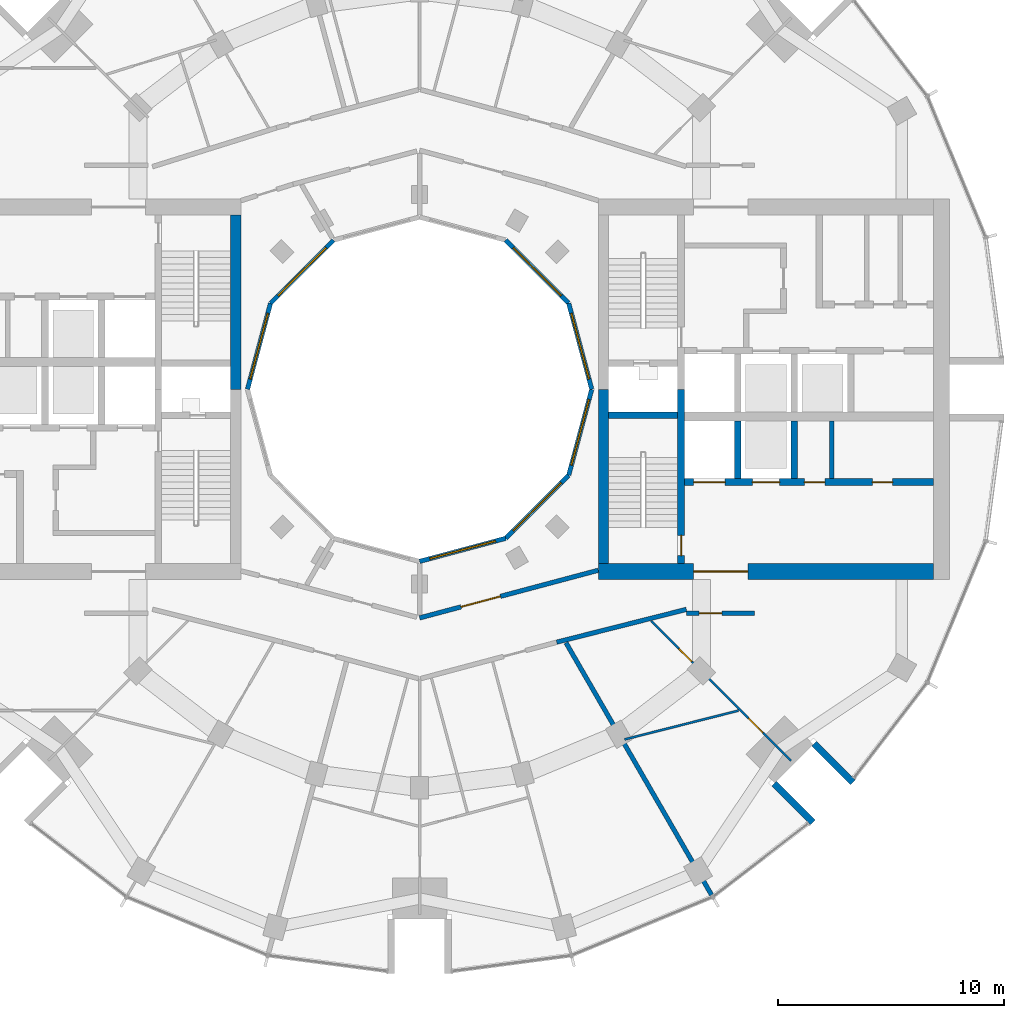
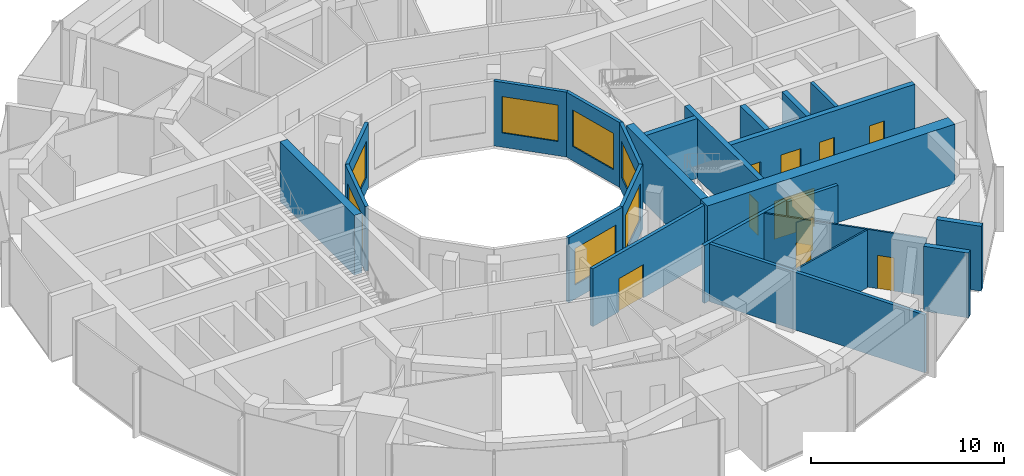
# One storey, part 10 of 15: 24 walls, 10 doors, 7 windows, 17 openings.
"""IFC4 building model written with IfcOpenShell, lengths in metres."""

from ifc_helpers import new_model, si_unit, direction, frame, frame_2d, origin, place, context, subcontext, project, spatial, rectangle, extrude, material, layer, layer_set, type_object, element, fill, save


model = new_model("IFC4")

# Units and contexts
model_context = context("Model", 3, precision=1e-05, world=origin(), true_north=direction((0.0, 1.0)))
body_context = subcontext(model_context, "Body", "Model", "MODEL_VIEW")
ifc_project = project(units=[si_unit("LENGTHUNIT", "METRE"), si_unit("AREAUNIT", "SQUARE_METRE"), si_unit("VOLUMEUNIT", "CUBIC_METRE"), si_unit("PLANEANGLEUNIT", "RADIAN"), si_unit("MASSUNIT", "GRAM", prefix="KILO")], contexts=[model_context])

# Site, building, storey
site_placement = place(None, origin())
site = spatial("IfcSite", under=ifc_project, at=site_placement, CompositionType="ELEMENT")
building_placement = place(site_placement, origin())
building = spatial("IfcBuilding", under=site, at=building_placement, Name="Torre Brocal", CompositionType="ELEMENT")
storey_placement = place(building_placement, frame((0.0, 0.0, 198.699951171875)))
storey = spatial("IfcBuildingStorey", under=building, at=storey_placement, Name="L46", CompositionType="ELEMENT", Elevation=198.699951171875)

# Wall
ifc_material_1 = material(Name="Masonry block", Category="masonry")
ifc_layer_1 = layer(ifc_material_1, 0.199951171875)
ifc_layer_set_1 = layer_set([ifc_layer_1], Name="Masonry block")
wall_type_1 = type_object("IfcWallType", Name="CORE PARTITION 200", PredefinedType="PARTITIONING", material=ifc_layer_set_1)
wall_1_placement = place(storey_placement, frame((98.199951171875, 71.050048828125, 0.0), z_axis=(0.0, 0.0, 1.0), x_axis=(0.0, 1.0, 0.0)))
element("IfcWall", 1, at=wall_1_placement, inside=storey, type_object=wall_type_1, Name="Wall CP200", PredefinedType="PARTITIONING", context=body_context, shape_type="SweptSolid", body=[
    extrude(rectangle(XDim=2.550048828125, YDim=0.199951171875, at=frame_2d((1.27490234375, 0.0))), origin(), (0.0, 0.0, 1.0), 3.780029296875),
])

# Wall, opening, door
ifc_material_2 = material(Name="Concrete C70", Category="concrete")
ifc_layer_2 = layer(ifc_material_2, 0.300048828125)
ifc_layer_set_2 = layer_set([ifc_layer_2], Name="Concrete C70")
wall_type_2 = type_object("IfcWallType", Name="CORE WALL 300 C70", PredefinedType="SHEAR", material=ifc_layer_set_2)
wall_2_placement = place(storey_placement, frame((91.550048828125, 67.300048828125, 0.0), z_axis=(0.0, 0.0, 1.0), x_axis=(0.0, 1.0, 0.0)))
wall_2 = element("IfcWall", 2, at=wall_2_placement, inside=storey, type_object=wall_type_2, Name="Wall CW300-70", PredefinedType="SHEAR", context=body_context, shape_type="SweptSolid", body=[
    extrude(rectangle(XDim=7.699951171875, YDim=0.300048828125, at=frame_2d((3.85009765625, 0.0))), origin(), (0.0, 0.0, 1.0), 3.780029296875),
])
opening_1_placement = place(wall_2_placement, frame((0.35009765625, 0.0, 0.0)))
opening_1 = element("IfcOpeningElement", 3, at=opening_1_placement, cuts=wall_2, Name="Opening E-D03", PredefinedType="OPENING", context=body_context, shape_type="SweptSolid", body=[
    extrude(rectangle(XDim=0.89990234375, YDim=2.10009765625, at=frame_2d((0.449951171875, 1.050048828125))), frame((0.0, 0.159912109375, 0.0), z_axis=(0.0, -1.0, 0.0), x_axis=(1.0, 0.0, 0.0)), (0.0, 0.0, 1.0), 0.320068359375),
])
ifc_material_3 = material(Name="Steel A653", Category="steel")
door_type_1 = type_object("IfcDoorType", Name="STAIR DOOR FD120 900X2100", OperationType="SINGLE_SWING_RIGHT", PredefinedType="DOOR", material=ifc_material_3)
door_1_placement = place(opening_1_placement, origin())
door_1 = element("IfcDoor", 4, at=door_1_placement, inside=storey, type_object=door_type_1, Name="Door E-D03", OperationType="SINGLE_SWING_LEFT", OverallHeight=2.10009765625, OverallWidth=0.89990234375, PredefinedType="DOOR", context=body_context, shape_type="SweptSolid", body=[
    extrude(rectangle(XDim=0.89990234375, YDim=2.10009765625, at=frame_2d((0.449951171875, 1.050048828125))), frame((0.0, 0.02490234375, 0.0), z_axis=(0.0, -1.0, 0.0), x_axis=(1.0, 0.0, 0.0)), (0.0, 0.0, 1.0), 0.050048828125),
])
fill(opening_1, door_1)

# Wall
wall_3_placement = place(storey_placement, frame((88.35009765625, 73.85009765625, 0.0), z_axis=(0.0, 0.0, 1.0), x_axis=(1.0, 0.0, 0.0)))
element("IfcWall", 5, at=wall_3_placement, inside=storey, type_object=wall_type_2, Name="Wall CW300-70", PredefinedType="SHEAR", context=body_context, shape_type="SweptSolid", body=[
    extrude(rectangle(XDim=3.0498046875, YDim=0.300048828125, at=frame_2d((1.52490234375, 0.0))), origin(), (0.0, 0.0, 1.0), 3.780029296875),
])

# Wall, openings, doors
wall_4_placement = place(storey_placement, frame((91.699951171875, 70.89990234375, 0.0), z_axis=(0.0, 0.0, 1.0), x_axis=(1.0, 0.0, 0.0)))
wall_4 = element("IfcWall", 6, at=wall_4_placement, inside=storey, type_object=wall_type_2, Name="Wall CW300-70", PredefinedType="SHEAR", context=body_context, shape_type="SweptSolid", body=[
    extrude(rectangle(XDim=11.0, YDim=0.300048828125, at=frame_2d((5.5, 0.0))), origin(), (0.0, 0.0, 1.0), 3.780029296875),
])
opening_2_placement = place(wall_4_placement, frame((0.39990234375, 0.0, 0.0)))
opening_2 = element("IfcOpeningElement", 7, at=opening_2_placement, cuts=wall_4, Name="Opening LD14", PredefinedType="OPENING", context=body_context, shape_type="SweptSolid", body=[
    extrude(rectangle(XDim=1.39990234375, YDim=2.10009765625, at=frame_2d((0.699951171875, 1.050048828125))), frame((0.0, 0.159912109375, 0.0), z_axis=(0.0, -1.0, 0.0), x_axis=(1.0, 0.0, 0.0)), (0.0, 0.0, 1.0), 0.320068359375),
])
opening_3_placement = place(wall_4_placement, frame((3.0, 0.0, 0.0)))
opening_3 = element("IfcOpeningElement", 8, at=opening_3_placement, cuts=wall_4, Name="Opening LD12", PredefinedType="OPENING", context=body_context, shape_type="SweptSolid", body=[
    extrude(rectangle(XDim=1.199951171875, YDim=2.10009765625, at=frame_2d((0.60009765625, 1.050048828125))), frame((0.0, 0.159912109375, 0.0), z_axis=(0.0, -1.0, 0.0), x_axis=(1.0, 0.0, 0.0)), (0.0, 0.0, 1.0), 0.320068359375),
])
opening_4_placement = place(wall_4_placement, frame((5.300048828125, 0.0, 0.0)))
opening_4 = element("IfcOpeningElement", 9, at=opening_4_placement, cuts=wall_4, Name="Opening E-D05", PredefinedType="OPENING", context=body_context, shape_type="SweptSolid", body=[
    extrude(rectangle(XDim=0.89990234375, YDim=2.10009765625, at=frame_2d((0.449951171875, 1.050048828125))), frame((0.0, 0.159912109375, 0.0), z_axis=(0.0, -1.0, 0.0), x_axis=(1.0, 0.0, 0.0)), (0.0, 0.0, 1.0), 0.320068359375),
])
opening_5_placement = place(wall_4_placement, frame((8.300048828125, 0.0, 0.0)))
opening_5 = element("IfcOpeningElement", 10, at=opening_5_placement, cuts=wall_4, Name="Opening E-D06", PredefinedType="OPENING", context=body_context, shape_type="SweptSolid", body=[
    extrude(rectangle(XDim=0.89990234375, YDim=2.10009765625, at=frame_2d((0.449951171875, 1.050048828125))), frame((0.0, 0.159912109375, 0.0), z_axis=(0.0, -1.0, 0.0), x_axis=(1.0, 0.0, 0.0)), (0.0, 0.0, 1.0), 0.320068359375),
])
ifc_material_4 = material(Name="Stainless steel AISI 316", Category="steel")
door_type_2 = type_object("IfcDoorType", Name="LIFT LANDING DOOR 1200X2100", OperationType="DOUBLE_DOOR_SLIDING", PredefinedType="DOOR", material=ifc_material_4)
door_2_placement = place(opening_3_placement, origin())
door_2 = element("IfcDoor", 11, at=door_2_placement, inside=storey, type_object=door_type_2, Name="Door LD12", OperationType="DOUBLE_DOOR_SLIDING", OverallHeight=2.10009765625, OverallWidth=1.199951171875, PredefinedType="DOOR", context=body_context, shape_type="SweptSolid", body=[
    extrude(rectangle(XDim=1.199951171875, YDim=2.10009765625, at=frame_2d((0.60009765625, 1.050048828125))), frame((0.0, 0.02490234375, 0.0), z_axis=(0.0, -1.0, 0.0), x_axis=(1.0, 0.0, 0.0)), (0.0, 0.0, 1.0), 0.050048828125),
])
fill(opening_3, door_2)
ifc_material_5 = material(Name="Stainless steel AISI 316", Category="steel")
door_type_3 = type_object("IfcDoorType", Name="LIFT LANDING DOOR 1400X2100", OperationType="DOUBLE_DOOR_SLIDING", PredefinedType="DOOR", material=ifc_material_5)
door_3_placement = place(opening_2_placement, origin())
door_3 = element("IfcDoor", 12, at=door_3_placement, inside=storey, type_object=door_type_3, Name="Door LD14", OperationType="DOUBLE_DOOR_SLIDING", OverallHeight=2.10009765625, OverallWidth=1.39990234375, PredefinedType="DOOR", context=body_context, shape_type="SweptSolid", body=[
    extrude(rectangle(XDim=1.39990234375, YDim=2.10009765625, at=frame_2d((0.699951171875, 1.050048828125))), frame((0.0, 0.02490234375, 0.0), z_axis=(0.0, -1.0, 0.0), x_axis=(1.0, 0.0, 0.0)), (0.0, 0.0, 1.0), 0.050048828125),
])
fill(opening_2, door_3)
ifc_material_6 = material(Name="Steel A653", Category="steel")
door_type_4 = type_object("IfcDoorType", Name="ROOM DOOR FD30S 900X2100", OperationType="SINGLE_SWING_LEFT", PredefinedType="DOOR", material=ifc_material_6)
door_4_placement = place(opening_4_placement, origin())
door_4 = element("IfcDoor", 13, at=door_4_placement, inside=storey, type_object=door_type_4, Name="Door E-D05", OperationType="SINGLE_SWING_RIGHT", OverallHeight=2.10009765625, OverallWidth=0.89990234375, PredefinedType="DOOR", context=body_context, shape_type="SweptSolid", body=[
    extrude(rectangle(XDim=0.89990234375, YDim=2.10009765625, at=frame_2d((0.449951171875, 1.050048828125))), frame((0.0, 0.02490234375, 0.0), z_axis=(0.0, -1.0, 0.0), x_axis=(1.0, 0.0, 0.0)), (0.0, 0.0, 1.0), 0.050048828125),
])
fill(opening_4, door_4)
door_5_placement = place(opening_5_placement, origin())
door_5 = element("IfcDoor", 14, at=door_5_placement, inside=storey, type_object=door_type_4, Name="Door E-D06", OperationType="SINGLE_SWING_RIGHT", OverallHeight=2.10009765625, OverallWidth=0.89990234375, PredefinedType="DOOR", context=body_context, shape_type="SweptSolid", body=[
    extrude(rectangle(XDim=0.89990234375, YDim=2.10009765625, at=frame_2d((0.449951171875, 1.050048828125))), frame((0.0, 0.02490234375, 0.0), z_axis=(0.0, -1.0, 0.0), x_axis=(1.0, 0.0, 0.0)), (0.0, 0.0, 1.0), 0.050048828125),
])
fill(opening_5, door_5)

# Walls
for number, where, z_axis, x_axis, name in (
    (15, (94.050048828125, 71.050048828125, 0.0), (0.0, 0.0, 1.0), (0.0, 1.0, 0.0), "Wall CW300-70"),
    (16, (96.550048828125, 71.050048828125, 0.0), (0.0, 0.0, 1.0), (0.0, 1.0, 0.0), "Wall CW300-70"),
):
    element("IfcWall", number, at=place(storey_placement, frame(where, z_axis=z_axis, x_axis=x_axis)), inside=storey, type_object=wall_type_2, Name=name, PredefinedType="SHEAR", context=body_context, shape_type="SweptSolid", body=[
        extrude(rectangle(XDim=2.550048828125, YDim=0.300048828125, at=frame_2d((1.27490234375, 0.0))), origin(), (0.0, 0.0, 1.0), 3.780029296875),
    ])
ifc_material_7 = material(Name="Concrete C70", Category="concrete")
ifc_layer_3 = layer(ifc_material_7, 0.449951171875)
ifc_layer_set_3 = layer_set([ifc_layer_3], Name="Concrete C70")
wall_type_3 = type_object("IfcWallType", Name="CORE WALL 450 C70", PredefinedType="SHEAR", material=ifc_layer_set_3)
for number, where, z_axis, x_axis, name in (
    (17, (88.125, 67.300048828125, 0.0), (0.0, 0.0, 1.0), (0.0, 1.0, 0.0), "Wall CW450-70"),
    (18, (71.875, 82.699951171875, 0.0), (0.0, 0.0, 1.0), (0.0, -1.0, 0.0), "Wall CW450-70"),
):
    element("IfcWall", number, at=place(storey_placement, frame(where, z_axis=z_axis, x_axis=x_axis)), inside=storey, type_object=wall_type_3, Name=name, PredefinedType="SHEAR", context=body_context, shape_type="SweptSolid", body=[
        extrude(rectangle(XDim=7.699951171875, YDim=0.449951171875, at=frame_2d((3.85009765625, 0.0))), origin(), (0.0, 0.0, 1.0), 3.780029296875),
    ])

# Wall, opening, door
ifc_material_8 = material(Name="Concrete C70", Category="concrete")
ifc_layer_4 = layer(ifc_material_8, 0.699951171875)
ifc_layer_set_4 = layer_set([ifc_layer_4], Name="Concrete C70")
wall_type_4 = type_object("IfcWallType", Name="CORE WALL 700 C70", PredefinedType="SHEAR", material=ifc_layer_set_4)
wall_5_placement = place(storey_placement, frame((87.89990234375, 66.949951171875, 0.0), z_axis=(0.0, 0.0, 1.0), x_axis=(1.0, 0.0, 0.0)))
wall_5 = element("IfcWall", 19, at=wall_5_placement, inside=storey, type_object=wall_type_4, Name="Wall CW700-70", PredefinedType="SHEAR", context=body_context, shape_type="SweptSolid", body=[
    extrude(rectangle(XDim=14.800048828125, YDim=0.699951171875, at=frame_2d((7.39990234375, 0.0))), origin(), (0.0, 0.0, 1.0), 3.780029296875),
])
opening_6_placement = place(wall_5_placement, frame((4.199951171875, 0.0, 0.0)))
opening_6 = element("IfcOpeningElement", 20, at=opening_6_placement, cuts=wall_5, Name="Opening E-D12", PredefinedType="OPENING", context=body_context, shape_type="SweptSolid", body=[
    extrude(rectangle(XDim=2.39990234375, YDim=2.39990234375, at=frame_2d((1.199951171875, 1.199951171875))), frame((0.0, 0.35986328125, 0.0), z_axis=(0.0, -1.0, 0.0), x_axis=(1.0, 0.0, 0.0)), (0.0, 0.0, 1.0), 0.719970703125),
])
ifc_material_9 = material(Name="Steel A653", Category="steel")
door_type_5 = type_object("IfcDoorType", Name="DOUBLE FIRE DOOR FD90 2400X2400", OperationType="DOUBLE_DOOR_SINGLE_SWING", PredefinedType="DOOR", material=ifc_material_9)
door_6_placement = place(opening_6_placement, origin())
door_6 = element("IfcDoor", 21, at=door_6_placement, inside=storey, type_object=door_type_5, Name="Door E-D12", OperationType="DOUBLE_DOOR_SINGLE_SWING", OverallHeight=2.39990234375, OverallWidth=2.39990234375, PredefinedType="DOOR", context=body_context, shape_type="SweptSolid", body=[
    extrude(rectangle(XDim=2.39990234375, YDim=2.39990234375, at=frame_2d((1.199951171875, 1.199951171875))), frame((0.0, 0.02490234375, 0.0), z_axis=(0.0, -1.0, 0.0), x_axis=(1.0, 0.0, 0.0)), (0.0, 0.0, 1.0), 0.050048828125),
])
fill(opening_6, door_6)

# Walls
ifc_material_10 = material(Name="Concrete C70", Category="concrete")
ifc_layer_5 = layer(ifc_material_10, 0.300048828125)
ifc_layer_set_5 = layer_set([ifc_layer_5], Name="Concrete C70")
wall_type_5 = type_object("IfcWallType", Name="NOTCH RETURN WALL 300 C70", PredefinedType="NOTDEFINED", material=ifc_layer_set_5)
for number, where, z_axis, x_axis, name in (
    (22, (95.662353515625, 57.56982421875, 0.0), (0.0, 0.0, 1.0), (0.707106781187, -0.707106781187, 0.0), "NOTCH RETURN WALL"),
    (23, (97.43017578125, 59.337646484375, 0.0), (0.0, 0.0, 1.0), (0.707106781187, -0.707106781187, 0.0), "NOTCH RETURN WALL"),
):
    element("IfcWall", number, at=place(storey_placement, frame(where, z_axis=z_axis, x_axis=x_axis)), inside=storey, type_object=wall_type_5, Name=name, PredefinedType="NOTDEFINED", context=body_context, shape_type="SweptSolid", body=[
        extrude(rectangle(XDim=2.415771484375, YDim=0.300048828125, at=frame_2d((1.2080078125, 0.0))), origin(), (0.0, 0.0, 1.0), 4.10009765625),
    ])
ifc_material_11 = material(Name="Gypsum board", Category="Gypsum")
ifc_layer_6 = layer(ifc_material_11, 0.10009765625)
ifc_layer_set_6 = layer_set([ifc_layer_6], Name="Gypsum board")
wall_type_6 = type_object("IfcWallType", Name="PARTITION 100", PredefinedType="PARTITIONING", material=ifc_layer_set_6)
wall_6_placement = place(storey_placement, frame((89.0537109375, 59.531005859375, 0.0), z_axis=(0.0, 0.0, 1.0), x_axis=(0.969472150829, 0.245201445279, 0.0)))
element("IfcWall", 24, at=wall_6_placement, inside=storey, type_object=wall_type_6, Name="BATHROOM WALL", PredefinedType="PARTITIONING", context=body_context, shape_type="SweptSolid", body=[
    extrude(rectangle(XDim=5.19140625, YDim=0.10009765625, at=frame_2d((2.595703125, 0.0))), origin(), (0.0, 0.0, 1.0), 3.650146484375),
])

# Wall, openings, doors
wall_7_placement = place(storey_placement, frame((90.236328125, 64.75830078125, 0.0), z_axis=(0.0, 0.0, 1.0), x_axis=(0.706952774706, -0.707260754132, 0.0)))
wall_7 = element("IfcWall", 25, at=wall_7_placement, inside=storey, type_object=wall_type_6, Name="BATHROOM WALL", PredefinedType="PARTITIONING", context=body_context, shape_type="SweptSolid", body=[
    extrude(rectangle(XDim=8.719970703125, YDim=0.10009765625, at=frame_2d((4.35986328125, 0.0))), origin(), (0.0, 0.0, 1.0), 3.650146484375),
])
opening_7_placement = place(wall_7_placement, frame((6.077392578125, 0.0, 0.0)))
opening_7 = element("IfcOpeningElement", 26, at=opening_7_placement, cuts=wall_7, Name="Opening R04-D22", PredefinedType="OPENING", context=body_context, shape_type="SweptSolid", body=[
    extrude(rectangle(XDim=0.89990234375, YDim=2.10009765625, at=frame_2d((0.449951171875, 1.050048828125))), frame((0.0, 0.06005859375, 0.0), z_axis=(0.0, -1.0, 0.0), x_axis=(1.0, 0.0, 0.0)), (0.0, 0.0, 1.0), 0.1201171875),
])
opening_8_placement = place(wall_7_placement, frame((1.722412109375, 0.0, 0.0)))
opening_8 = element("IfcOpeningElement", 27, at=opening_8_placement, cuts=wall_7, Name="Opening R04-D23", PredefinedType="OPENING", context=body_context, shape_type="SweptSolid", body=[
    extrude(rectangle(XDim=0.800048828125, YDim=2.10009765625, at=frame_2d((0.39990234375, 1.050048828125))), frame((0.0, 0.06005859375, 0.0), z_axis=(0.0, -1.0, 0.0), x_axis=(1.0, 0.0, 0.0)), (0.0, 0.0, 1.0), 0.1201171875),
])
ifc_material_12 = material(Name="Timber", Category="wood")
door_type_6 = type_object("IfcDoorType", Name="BATHROOM DOOR 800X2100", OperationType="SINGLE_SWING_LEFT", PredefinedType="DOOR", material=ifc_material_12)
door_7_placement = place(opening_8_placement, frame((0.800048828125, 0.0, 0.0), z_axis=(0.0, 0.0, 1.0), x_axis=(-1.0, 0.0, 0.0)))
door_7 = element("IfcDoor", 28, at=door_7_placement, inside=storey, type_object=door_type_6, Name="R04-D23", OperationType="SINGLE_SWING_RIGHT", OverallHeight=2.10009765625, OverallWidth=0.800048828125, PredefinedType="DOOR", context=body_context, shape_type="SweptSolid", body=[
    extrude(rectangle(XDim=0.800048828125, YDim=2.10009765625, at=frame_2d((0.39990234375, 1.050048828125))), frame((0.0, 0.02490234375, 0.0), z_axis=(0.0, -1.0, 0.0), x_axis=(1.0, 0.0, 0.0)), (0.0, 0.0, 1.0), 0.050048828125),
])
fill(opening_8, door_7)
ifc_material_13 = material(Name="Timber", Category="wood")
door_type_7 = type_object("IfcDoorType", Name="ROOM DOOR 900X2100", OperationType="SINGLE_SWING_LEFT", PredefinedType="DOOR", material=ifc_material_13)
door_8_placement = place(opening_7_placement, origin())
door_8 = element("IfcDoor", 29, at=door_8_placement, inside=storey, type_object=door_type_7, Name="R04-D22", OperationType="SINGLE_SWING_RIGHT", OverallHeight=2.10009765625, OverallWidth=0.89990234375, PredefinedType="DOOR", context=body_context, shape_type="SweptSolid", body=[
    extrude(rectangle(XDim=0.89990234375, YDim=2.10009765625, at=frame_2d((0.449951171875, 1.050048828125))), frame((0.0, 0.02490234375, 0.0), z_axis=(0.0, -1.0, 0.0), x_axis=(1.0, 0.0, 0.0)), (0.0, 0.0, 1.0), 0.050048828125),
])
fill(opening_7, door_8)

# Wall, opening, door
ifc_material_14 = material(Name="Gypsum board", Category="Gypsum")
ifc_layer_7 = layer(ifc_material_14, 0.199951171875)
ifc_layer_set_7 = layer_set([ifc_layer_7], Name="Gypsum board")
wall_type_7 = type_object("IfcWallType", Name="PARTITION 200 EI60", PredefinedType="PARTITIONING", material=ifc_layer_set_7)
wall_8_placement = place(storey_placement, frame((80.00048828125, 64.8984375, 0.0), z_axis=(0.0, 0.0, 1.0), x_axis=(0.966236923997, 0.25765520896, 0.0)))
wall_8 = element("IfcWall", 30, at=wall_8_placement, inside=storey, type_object=wall_type_7, Name="CORRIDOR WALL", PredefinedType="PARTITIONING", context=body_context, shape_type="SweptSolid", body=[
    extrude(rectangle(XDim=8.16796875, YDim=0.199951171875, at=frame_2d((4.083984375, 0.0))), origin(), (0.0, 0.0, 1.0), 3.650146484375),
])
opening_9_placement = place(wall_8_placement, frame((1.892578125, 0.0, 0.0)))
opening_9 = element("IfcOpeningElement", 31, at=opening_9_placement, cuts=wall_8, Name="Opening R04-D37", PredefinedType="OPENING", context=body_context, shape_type="SweptSolid", body=[
    extrude(rectangle(XDim=1.800048828125, YDim=2.10009765625, at=frame_2d((0.89990234375, 1.050048828125))), frame((0.0, 0.10986328125, 0.0), z_axis=(0.0, -1.0, 0.0), x_axis=(1.0, 0.0, 0.0)), (0.0, 0.0, 1.0), 0.219970703125),
])
ifc_material_15 = material(Name="Timber", Category="wood")
door_type_8 = type_object("IfcDoorType", Name="DOUBLE DOOR 1800X2100", OperationType="DOUBLE_DOOR_SINGLE_SWING", PredefinedType="DOOR", material=ifc_material_15)
door_9_placement = place(opening_9_placement, origin())
door_9 = element("IfcDoor", 32, at=door_9_placement, inside=storey, type_object=door_type_8, Name="R04-D37", OperationType="DOUBLE_DOOR_SINGLE_SWING", OverallHeight=2.10009765625, OverallWidth=1.800048828125, PredefinedType="DOOR", context=body_context, shape_type="SweptSolid", body=[
    extrude(rectangle(XDim=1.800048828125, YDim=2.10009765625, at=frame_2d((0.89990234375, 1.050048828125))), frame((0.0, 0.02490234375, 0.0), z_axis=(0.0, -1.0, 0.0), x_axis=(1.0, 0.0, 0.0)), (0.0, 0.0, 1.0), 0.050048828125),
])
fill(opening_9, door_9)

# Walls
wall_9_placement = place(storey_placement, frame((86.052978515625, 63.826171875, 0.0), z_axis=(0.0, 0.0, 1.0), x_axis=(0.969490004987, 0.245130843083, 0.0)))
element("IfcWall", 33, at=wall_9_placement, inside=storey, type_object=wall_type_7, Name="FLAT ENTRANCE WALL", PredefinedType="PARTITIONING", context=body_context, shape_type="SweptSolid", body=[
    extrude(rectangle(XDim=5.907958984375, YDim=0.199951171875, at=frame_2d((2.9541015625, 0.0))), origin(), (0.0, 0.0, 1.0), 3.650146484375),
])
wall_10_placement = place(storey_placement, frame((86.4658203125, 63.80126953125, 0.0), z_axis=(0.0, 0.0, 1.0), x_axis=(0.499937082171, -0.866061726362, 0.0)))
element("IfcWall", 34, at=wall_10_placement, inside=storey, type_object=wall_type_7, Name="BATHROOM WALL", PredefinedType="PARTITIONING", context=body_context, shape_type="SweptSolid", body=[
    extrude(rectangle(XDim=12.866455078125, YDim=0.199951171875, at=frame_2d((6.43310546875, 0.0))), origin(), (0.0, 0.0, 1.0), 3.650146484375),
])

# Wall, opening, door
wall_11_placement = place(storey_placement, frame((91.800048828125, 65.10009765625, 0.0), z_axis=(0.0, 0.0, 1.0), x_axis=(1.0, 0.0, 0.0)))
wall_11 = element("IfcWall", 35, at=wall_11_placement, inside=storey, type_object=wall_type_7, Name="FLAT ENTRANCE WALL", PredefinedType="PARTITIONING", context=body_context, shape_type="SweptSolid", body=[
    extrude(rectangle(XDim=3.0, YDim=0.199951171875, at=frame_2d((1.5, 0.0))), origin(), (0.0, 0.0, 1.0), 3.650146484375),
])
opening_10_placement = place(wall_11_placement, frame((0.550048828125, 0.0, 0.0)))
opening_10 = element("IfcOpeningElement", 36, at=opening_10_placement, cuts=wall_11, Name="Opening R04-D21", PredefinedType="OPENING", context=body_context, shape_type="SweptSolid", body=[
    extrude(rectangle(XDim=1.0, YDim=2.10009765625, at=frame_2d((0.5, 1.050048828125))), frame((0.0, 0.10986328125, 0.0), z_axis=(0.0, -1.0, 0.0), x_axis=(1.0, 0.0, 0.0)), (0.0, 0.0, 1.0), 0.219970703125),
])
ifc_material_16 = material(Name="Timber", Category="wood")
door_type_9 = type_object("IfcDoorType", Name="FLAT ENTRY DOOR FD30S 1000X2100", OperationType="SINGLE_SWING_RIGHT", PredefinedType="DOOR", material=ifc_material_16)
door_10_placement = place(opening_10_placement, frame((1.0, 0.0, 0.0), z_axis=(0.0, 0.0, 1.0), x_axis=(-1.0, 0.0, 0.0)))
door_10 = element("IfcDoor", 37, at=door_10_placement, inside=storey, type_object=door_type_9, Name="R04-D21", OperationType="SINGLE_SWING_RIGHT", OverallHeight=2.10009765625, OverallWidth=1.0, PredefinedType="DOOR", context=body_context, shape_type="SweptSolid", body=[
    extrude(rectangle(XDim=1.0, YDim=2.10009765625, at=frame_2d((0.5, 1.050048828125))), frame((0.0, 0.02490234375, 0.0), z_axis=(0.0, -1.0, 0.0), x_axis=(1.0, 0.0, 0.0)), (0.0, 0.0, 1.0), 0.050048828125),
])
fill(opening_10, door_10)

# Wall, opening, window
ifc_material_17 = material(Name="Concrete C40", Category="concrete")
ifc_layer_8 = layer(ifc_material_17, 0.199951171875)
ifc_layer_set_8 = layer_set([ifc_layer_8], Name="Concrete C40")
wall_type_8 = type_object("IfcWallType", Name="WELL FACADE WALL 200", PredefinedType="NOTDEFINED", material=ifc_layer_set_8)
wall_12_placement = place(storey_placement, frame((87.603515625, 75.0, 0.0), z_axis=(0.0, 0.0, 1.0), x_axis=(-0.258789828301, 0.965933654434, 0.0)))
wall_12 = element("IfcWall", 38, at=wall_12_placement, inside=storey, type_object=wall_type_8, Name="WELL FACADE WALL", PredefinedType="NOTDEFINED", context=body_context, shape_type="SweptSolid", body=[
    extrude(rectangle(XDim=3.935791015625, YDim=0.199951171875, at=frame_2d((1.9677734375, 0.0))), origin(), (0.0, 0.0, 1.0), 4.10009765625),
])
opening_11_placement = place(wall_12_placement, frame((0.468017578125, 0.0, 0.89990234375)))
opening_11 = element("IfcOpeningElement", 39, at=opening_11_placement, cuts=wall_12, Name="Opening W1", PredefinedType="OPENING", context=body_context, shape_type="SweptSolid", body=[
    extrude(rectangle(XDim=3.0, YDim=2.300048828125, at=frame_2d((1.5, 1.14990234375))), frame((0.0, 0.10986328125, 0.0), z_axis=(0.0, -1.0, 0.0), x_axis=(1.0, 0.0, 0.0)), (0.0, 0.0, 1.0), 0.219970703125),
])
ifc_material_18 = material(Name="Aluminium and glass", Category="aluminium")
window_type = type_object("IfcWindowType", Name="WELL WINDOW 3000X2300", PartitioningType="SINGLE_PANEL", PredefinedType="WINDOW", material=ifc_material_18)
window_1_placement = place(opening_11_placement, origin())
window_1 = element("IfcWindow", 40, at=window_1_placement, inside=storey, type_object=window_type, Name="WELL WINDOW 3000X2300", OverallHeight=2.300048828125, OverallWidth=3.0, PartitioningType="SINGLE_PANEL", PredefinedType="WINDOW", context=body_context, shape_type="SweptSolid", body=[
    extrude(rectangle(XDim=3.0, YDim=2.300048828125, at=frame_2d((1.5, 1.14990234375))), frame((0.0, 0.030029296875, 0.0), z_axis=(0.0, -1.0, 0.0), x_axis=(1.0, 0.0, 0.0)), (0.0, 0.0, 1.0), 0.06005859375),
])
fill(opening_11, window_1)

wall_13_placement = place(storey_placement, frame((86.5849609375, 78.8017578125, 0.0), z_axis=(0.0, 0.0, 1.0), x_axis=(-0.707106781187, 0.707106781187, 0.0)))
wall_13 = element("IfcWall", 41, at=wall_13_placement, inside=storey, type_object=wall_type_8, Name="WELL FACADE WALL", PredefinedType="NOTDEFINED", context=body_context, shape_type="SweptSolid", body=[
    extrude(rectangle(XDim=3.93603515625, YDim=0.199951171875, at=frame_2d((1.968017578125, 0.0))), origin(), (0.0, 0.0, 1.0), 4.10009765625),
])
opening_12_placement = place(wall_13_placement, frame((0.468017578125, 0.0, 0.89990234375)))
opening_12 = element("IfcOpeningElement", 42, at=opening_12_placement, cuts=wall_13, Name="Opening W1", PredefinedType="OPENING", context=body_context, shape_type="SweptSolid", body=[
    extrude(rectangle(XDim=3.0, YDim=2.300048828125, at=frame_2d((1.5, 1.14990234375))), frame((0.0, 0.10986328125, 0.0), z_axis=(0.0, -1.0, 0.0), x_axis=(1.0, 0.0, 0.0)), (0.0, 0.0, 1.0), 0.219970703125),
])
window_2_placement = place(opening_12_placement, origin())
window_2 = element("IfcWindow", 43, at=window_2_placement, inside=storey, type_object=window_type, Name="WELL WINDOW 3000X2300", OverallHeight=2.300048828125, OverallWidth=3.0, PartitioningType="SINGLE_PANEL", PredefinedType="WINDOW", context=body_context, shape_type="SweptSolid", body=[
    extrude(rectangle(XDim=3.0, YDim=2.300048828125, at=frame_2d((1.5, 1.14990234375))), frame((0.0, 0.030029296875, 0.0), z_axis=(0.0, -1.0, 0.0), x_axis=(1.0, 0.0, 0.0)), (0.0, 0.0, 1.0), 0.06005859375),
])
fill(opening_12, window_2)

wall_14_placement = place(storey_placement, frame((76.1982421875, 81.5849609375, 0.0), z_axis=(0.0, 0.0, 1.0), x_axis=(-0.707106781187, -0.707106781187, 0.0)))
wall_14 = element("IfcWall", 44, at=wall_14_placement, inside=storey, type_object=wall_type_8, Name="WELL FACADE WALL", PredefinedType="NOTDEFINED", context=body_context, shape_type="SweptSolid", body=[
    extrude(rectangle(XDim=3.93603515625, YDim=0.199951171875, at=frame_2d((1.968017578125, 0.0))), origin(), (0.0, 0.0, 1.0), 4.10009765625),
])
opening_13_placement = place(wall_14_placement, frame((0.468017578125, 0.0, 0.89990234375)))
opening_13 = element("IfcOpeningElement", 45, at=opening_13_placement, cuts=wall_14, Name="Opening W1", PredefinedType="OPENING", context=body_context, shape_type="SweptSolid", body=[
    extrude(rectangle(XDim=3.0, YDim=2.300048828125, at=frame_2d((1.5, 1.14990234375))), frame((0.0, 0.10986328125, 0.0), z_axis=(0.0, -1.0, 0.0), x_axis=(1.0, 0.0, 0.0)), (0.0, 0.0, 1.0), 0.219970703125),
])
window_3_placement = place(opening_13_placement, origin())
window_3 = element("IfcWindow", 46, at=window_3_placement, inside=storey, type_object=window_type, Name="WELL WINDOW 3000X2300", OverallHeight=2.300048828125, OverallWidth=3.0, PartitioningType="SINGLE_PANEL", PredefinedType="WINDOW", context=body_context, shape_type="SweptSolid", body=[
    extrude(rectangle(XDim=3.0, YDim=2.300048828125, at=frame_2d((1.5, 1.14990234375))), frame((0.0, 0.030029296875, 0.0), z_axis=(0.0, -1.0, 0.0), x_axis=(1.0, 0.0, 0.0)), (0.0, 0.0, 1.0), 0.06005859375),
])
fill(opening_13, window_3)

wall_15_placement = place(storey_placement, frame((73.4150390625, 78.8017578125, 0.0), z_axis=(0.0, 0.0, 1.0), x_axis=(-0.258789828301, -0.965933654434, 0.0)))
wall_15 = element("IfcWall", 47, at=wall_15_placement, inside=storey, type_object=wall_type_8, Name="WELL FACADE WALL", PredefinedType="NOTDEFINED", context=body_context, shape_type="SweptSolid", body=[
    extrude(rectangle(XDim=3.935791015625, YDim=0.199951171875, at=frame_2d((1.9677734375, 0.0))), origin(), (0.0, 0.0, 1.0), 4.10009765625),
])
opening_14_placement = place(wall_15_placement, frame((0.468017578125, 0.0, 0.89990234375)))
opening_14 = element("IfcOpeningElement", 48, at=opening_14_placement, cuts=wall_15, Name="Opening W1", PredefinedType="OPENING", context=body_context, shape_type="SweptSolid", body=[
    extrude(rectangle(XDim=3.0, YDim=2.300048828125, at=frame_2d((1.5, 1.14990234375))), frame((0.0, 0.10986328125, 0.0), z_axis=(0.0, -1.0, 0.0), x_axis=(1.0, 0.0, 0.0)), (0.0, 0.0, 1.0), 0.219970703125),
])
window_4_placement = place(opening_14_placement, origin())
window_4 = element("IfcWindow", 49, at=window_4_placement, inside=storey, type_object=window_type, Name="WELL WINDOW 3000X2300", OverallHeight=2.300048828125, OverallWidth=3.0, PartitioningType="SINGLE_PANEL", PredefinedType="WINDOW", context=body_context, shape_type="SweptSolid", body=[
    extrude(rectangle(XDim=3.0, YDim=2.300048828125, at=frame_2d((1.5, 1.14990234375))), frame((0.0, 0.030029296875, 0.0), z_axis=(0.0, -1.0, 0.0), x_axis=(1.0, 0.0, 0.0)), (0.0, 0.0, 1.0), 0.06005859375),
])
fill(opening_14, window_4)

wall_16_placement = place(storey_placement, frame((80.0, 67.396484375, 0.0), z_axis=(0.0, 0.0, 1.0), x_axis=(0.965933654434, 0.258789828301, 0.0)))
wall_16 = element("IfcWall", 50, at=wall_16_placement, inside=storey, type_object=wall_type_8, Name="WELL FACADE WALL", PredefinedType="NOTDEFINED", context=body_context, shape_type="SweptSolid", body=[
    extrude(rectangle(XDim=3.935791015625, YDim=0.199951171875, at=frame_2d((1.9677734375, 0.0))), origin(), (0.0, 0.0, 1.0), 4.10009765625),
])
opening_15_placement = place(wall_16_placement, frame((0.468017578125, 0.0, 0.89990234375)))
opening_15 = element("IfcOpeningElement", 51, at=opening_15_placement, cuts=wall_16, Name="Opening W1", PredefinedType="OPENING", context=body_context, shape_type="SweptSolid", body=[
    extrude(rectangle(XDim=3.0, YDim=2.300048828125, at=frame_2d((1.5, 1.14990234375))), frame((0.0, 0.10986328125, 0.0), z_axis=(0.0, -1.0, 0.0), x_axis=(1.0, 0.0, 0.0)), (0.0, 0.0, 1.0), 0.219970703125),
])
window_5_placement = place(opening_15_placement, origin())
window_5 = element("IfcWindow", 52, at=window_5_placement, inside=storey, type_object=window_type, Name="WELL WINDOW 3000X2300", OverallHeight=2.300048828125, OverallWidth=3.0, PartitioningType="SINGLE_PANEL", PredefinedType="WINDOW", context=body_context, shape_type="SweptSolid", body=[
    extrude(rectangle(XDim=3.0, YDim=2.300048828125, at=frame_2d((1.5, 1.14990234375))), frame((0.0, 0.030029296875, 0.0), z_axis=(0.0, -1.0, 0.0), x_axis=(1.0, 0.0, 0.0)), (0.0, 0.0, 1.0), 0.06005859375),
])
fill(opening_15, window_5)

wall_17_placement = place(storey_placement, frame((83.8017578125, 68.4150390625, 0.0), z_axis=(0.0, 0.0, 1.0), x_axis=(0.707106781187, 0.707106781187, 0.0)))
wall_17 = element("IfcWall", 53, at=wall_17_placement, inside=storey, type_object=wall_type_8, Name="WELL FACADE WALL", PredefinedType="NOTDEFINED", context=body_context, shape_type="SweptSolid", body=[
    extrude(rectangle(XDim=3.93603515625, YDim=0.199951171875, at=frame_2d((1.968017578125, 0.0))), origin(), (0.0, 0.0, 1.0), 4.10009765625),
])
opening_16_placement = place(wall_17_placement, frame((0.468017578125, 0.0, 0.89990234375)))
opening_16 = element("IfcOpeningElement", 54, at=opening_16_placement, cuts=wall_17, Name="Opening W1", PredefinedType="OPENING", context=body_context, shape_type="SweptSolid", body=[
    extrude(rectangle(XDim=3.0, YDim=2.300048828125, at=frame_2d((1.5, 1.14990234375))), frame((0.0, 0.10986328125, 0.0), z_axis=(0.0, -1.0, 0.0), x_axis=(1.0, 0.0, 0.0)), (0.0, 0.0, 1.0), 0.219970703125),
])
window_6_placement = place(opening_16_placement, origin())
window_6 = element("IfcWindow", 55, at=window_6_placement, inside=storey, type_object=window_type, Name="WELL WINDOW 3000X2300", OverallHeight=2.300048828125, OverallWidth=3.0, PartitioningType="SINGLE_PANEL", PredefinedType="WINDOW", context=body_context, shape_type="SweptSolid", body=[
    extrude(rectangle(XDim=3.0, YDim=2.300048828125, at=frame_2d((1.5, 1.14990234375))), frame((0.0, 0.030029296875, 0.0), z_axis=(0.0, -1.0, 0.0), x_axis=(1.0, 0.0, 0.0)), (0.0, 0.0, 1.0), 0.06005859375),
])
fill(opening_16, window_6)

wall_18_placement = place(storey_placement, frame((86.5849609375, 71.1982421875, 0.0), z_axis=(0.0, 0.0, 1.0), x_axis=(0.258789828301, 0.965933654434, 0.0)))
wall_18 = element("IfcWall", 56, at=wall_18_placement, inside=storey, type_object=wall_type_8, Name="WELL FACADE WALL", PredefinedType="NOTDEFINED", context=body_context, shape_type="SweptSolid", body=[
    extrude(rectangle(XDim=3.935791015625, YDim=0.199951171875, at=frame_2d((1.9677734375, 0.0))), origin(), (0.0, 0.0, 1.0), 4.10009765625),
])
opening_17_placement = place(wall_18_placement, frame((0.468017578125, 0.0, 0.89990234375)))
opening_17 = element("IfcOpeningElement", 57, at=opening_17_placement, cuts=wall_18, Name="Opening W1", PredefinedType="OPENING", context=body_context, shape_type="SweptSolid", body=[
    extrude(rectangle(XDim=3.0, YDim=2.300048828125, at=frame_2d((1.5, 1.14990234375))), frame((0.0, 0.10986328125, 0.0), z_axis=(0.0, -1.0, 0.0), x_axis=(1.0, 0.0, 0.0)), (0.0, 0.0, 1.0), 0.219970703125),
])
window_7_placement = place(opening_17_placement, origin())
window_7 = element("IfcWindow", 58, at=window_7_placement, inside=storey, type_object=window_type, Name="WELL WINDOW 3000X2300", OverallHeight=2.300048828125, OverallWidth=3.0, PartitioningType="SINGLE_PANEL", PredefinedType="WINDOW", context=body_context, shape_type="SweptSolid", body=[
    extrude(rectangle(XDim=3.0, YDim=2.300048828125, at=frame_2d((1.5, 1.14990234375))), frame((0.0, 0.030029296875, 0.0), z_axis=(0.0, -1.0, 0.0), x_axis=(1.0, 0.0, 0.0)), (0.0, 0.0, 1.0), 0.06005859375),
])
fill(opening_17, window_7)

save(model, "model.ifc")
